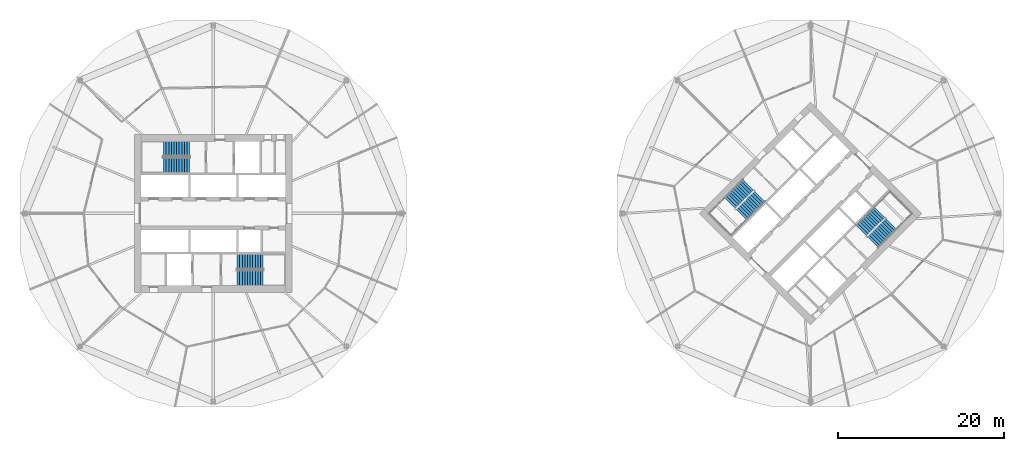
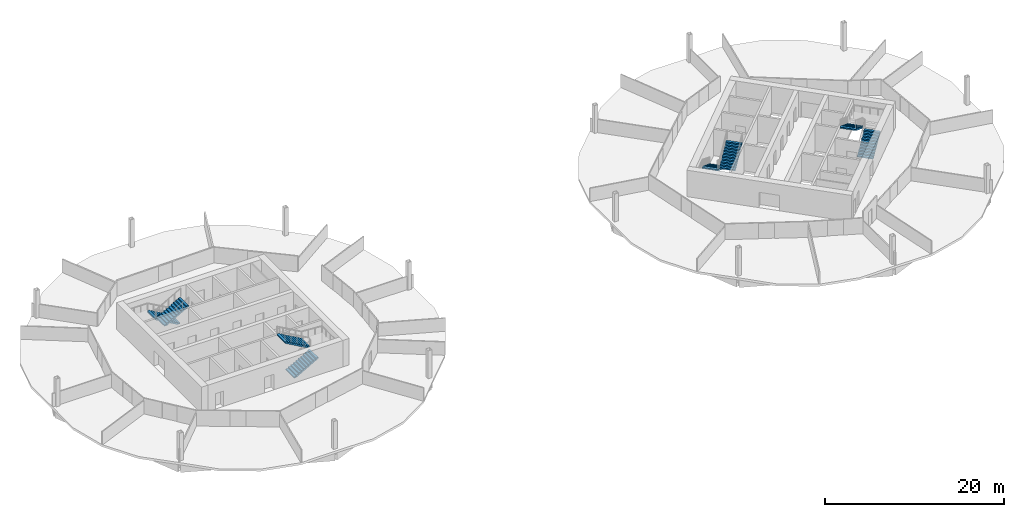
# One storey, part 8 of 9: 8 stair flights, 4 elements without a shape of their own.
"""IFC4 building model written with IfcOpenShell, lengths in metres."""

from ifc_helpers import new_model, si_unit, direction, frame, origin, place, context, subcontext, project, spatial, polyline, outline, extrude, material, type_object, element, aggregate, save


model = new_model("IFC4")

# Units and contexts
model_context = context("Model", 3, precision=1e-05, world=origin(), true_north=direction((0.0, 1.0)))
body_context = subcontext(model_context, "Body", "Model", "MODEL_VIEW")
ifc_project = project(units=[si_unit("LENGTHUNIT", "METRE"), si_unit("AREAUNIT", "SQUARE_METRE"), si_unit("VOLUMEUNIT", "CUBIC_METRE"), si_unit("PLANEANGLEUNIT", "RADIAN"), si_unit("MASSUNIT", "GRAM", prefix="KILO")], contexts=[model_context])

# Site, building, storey
site_placement = place(None, origin())
site = spatial("IfcSite", under=ifc_project, at=site_placement, CompositionType="ELEMENT")
building_placement = place(site_placement, origin())
building = spatial("IfcBuilding", under=site, at=building_placement, Name="Ogive Gate Towers", CompositionType="ELEMENT")
storey_placement = place(building_placement, frame((0.0, 0.0, 91.800048828125)))
storey = spatial("IfcBuildingStorey", under=building, at=storey_placement, Name="L21", CompositionType="ELEMENT", Elevation=91.800048828125)

# Stair, stair flights
ifc_material = material(Name="Concrete C40/50", Category="concrete")
stair_type = type_object("IfcStairType", Name="Escape stair 1840 wide", PredefinedType="HALF_TURN_STAIR", material=ifc_material)
stair_1_placement = place(storey_placement, origin())
stair_1 = element("IfcStair", 1, at=stair_1_placement, inside=storey, type_object=stair_type, Name="L21 Escape stair 1", PredefinedType="HALF_TURN_STAIR")
stair_flight_type = type_object("IfcStairFlightType", Name="Stair flight 1840 wide", PredefinedType="STRAIGHT", material=ifc_material)
stair_flight_1_placement = place(storey_placement, frame((-38.864990234375, 7.780029296875, 0.0), z_axis=(0.0, 0.0, 1.0), x_axis=(-1.0, 0.0, 0.0)))
stair_flight_1 = element("IfcStairFlight", 2, at=stair_flight_1_placement, type_object=stair_flight_type, Name="ST1 flight 1", NumberOfRisers=11, NumberOfTreads=10, PredefinedType="STRAIGHT", RiserHeight=0.177272727, TreadLength=0.313636364, context=body_context, shape_type="SweptSolid", body=[
    extrude(outline(polyline([(0.0, 0.0), (0.0, 0.17724609375), (0.313720703125, 0.17724609375), (0.313720703125, 0.3544921875), (0.627197265625, 0.3544921875), (0.627197265625, 0.53173828125), (0.94091796875, 0.53173828125), (0.94091796875, 0.708984375), (1.254638671875, 0.708984375), (1.254638671875, 0.886474609375), (1.568115234375, 0.886474609375), (1.568115234375, 1.063720703125), (1.8818359375, 1.063720703125), (1.8818359375, 1.240966796875), (2.195556640625, 1.240966796875), (2.195556640625, 1.418212890625), (2.509033203125, 1.418212890625), (2.509033203125, 1.595458984375), (2.82275390625, 1.595458984375), (2.82275390625, 1.772705078125), (3.136474609375, 1.772705078125), (3.136474609375, 1.949951171875), (3.136474609375, 1.6005859375), (0.3046875, 0.0), (0.0, 0.0)])), frame((0.0, 0.919921875, 0.0), z_axis=(0.0, -1.0, 0.0), x_axis=(1.0, 0.0, 0.0)), (0.0, 0.0, 1.0), 1.840087890625),
])
stair_flight_2_placement = place(storey_placement, frame((-42.00146484375, 5.794921875, 1.949951171875), z_axis=(0.0, 0.0, 1.0), x_axis=(1.0, 0.0, 0.0)))
stair_flight_2 = element("IfcStairFlight", 3, at=stair_flight_2_placement, type_object=stair_flight_type, Name="ST1 flight 2", NumberOfRisers=11, NumberOfTreads=10, PredefinedType="STRAIGHT", RiserHeight=0.177272727, TreadLength=0.313636364, context=body_context, shape_type="SweptSolid", body=[
    extrude(outline(polyline([(0.0, 0.0), (0.0, 0.17724609375), (0.313720703125, 0.17724609375), (0.313720703125, 0.3544921875), (0.627197265625, 0.3544921875), (0.627197265625, 0.53173828125), (0.94091796875, 0.53173828125), (0.94091796875, 0.708984375), (1.254638671875, 0.708984375), (1.254638671875, 0.886474609375), (1.568115234375, 0.886474609375), (1.568115234375, 1.063720703125), (1.8818359375, 1.063720703125), (1.8818359375, 1.240966796875), (2.195556640625, 1.240966796875), (2.195556640625, 1.418212890625), (2.509033203125, 1.418212890625), (2.509033203125, 1.595458984375), (2.82275390625, 1.595458984375), (2.82275390625, 1.772705078125), (3.136474609375, 1.772705078125), (3.136474609375, 1.949951171875), (3.136474609375, 1.6005859375), (0.3046875, 0.0), (0.0, 0.0)])), frame((0.0, 0.919921875, 0.0), z_axis=(0.0, -1.0, 0.0), x_axis=(1.0, 0.0, 0.0)), (0.0, 0.0, 1.0), 1.840087890625),
])
aggregate(stair_1, [stair_flight_1, stair_flight_2])

stair_2_placement = place(storey_placement, origin())
stair_2 = element("IfcStair", 4, at=stair_2_placement, inside=storey, type_object=stair_type, Name="L21 Escape stair 2", PredefinedType="HALF_TURN_STAIR")
stair_flight_3_placement = place(storey_placement, frame((-33.135009765625, -7.780029296875, 0.0), z_axis=(0.0, 0.0, 1.0), x_axis=(1.0, 0.0, 0.0)))
stair_flight_3 = element("IfcStairFlight", 5, at=stair_flight_3_placement, type_object=stair_flight_type, Name="ST2 flight 1", NumberOfRisers=11, NumberOfTreads=10, PredefinedType="STRAIGHT", RiserHeight=0.177272727, TreadLength=0.313636364, context=body_context, shape_type="SweptSolid", body=[
    extrude(outline(polyline([(0.0, 0.0), (0.0, 0.17724609375), (0.313720703125, 0.17724609375), (0.313720703125, 0.3544921875), (0.627197265625, 0.3544921875), (0.627197265625, 0.53173828125), (0.94091796875, 0.53173828125), (0.94091796875, 0.708984375), (1.254638671875, 0.708984375), (1.254638671875, 0.886474609375), (1.568115234375, 0.886474609375), (1.568115234375, 1.063720703125), (1.8818359375, 1.063720703125), (1.8818359375, 1.240966796875), (2.195556640625, 1.240966796875), (2.195556640625, 1.418212890625), (2.509033203125, 1.418212890625), (2.509033203125, 1.595458984375), (2.82275390625, 1.595458984375), (2.82275390625, 1.772705078125), (3.136474609375, 1.772705078125), (3.136474609375, 1.949951171875), (3.136474609375, 1.6005859375), (0.3046875, 0.0), (0.0, 0.0)])), frame((0.0, 0.919921875, 0.0), z_axis=(0.0, -1.0, 0.0), x_axis=(1.0, 0.0, 0.0)), (0.0, 0.0, 1.0), 1.840087890625),
])
stair_flight_4_placement = place(storey_placement, frame((-29.99853515625, -5.794921875, 1.949951171875), z_axis=(0.0, 0.0, 1.0), x_axis=(-1.0, 0.0, 0.0)))
stair_flight_4 = element("IfcStairFlight", 6, at=stair_flight_4_placement, type_object=stair_flight_type, Name="ST2 flight 2", NumberOfRisers=11, NumberOfTreads=10, PredefinedType="STRAIGHT", RiserHeight=0.177272727, TreadLength=0.313636364, context=body_context, shape_type="SweptSolid", body=[
    extrude(outline(polyline([(0.0, 0.0), (0.0, 0.17724609375), (0.313720703125, 0.17724609375), (0.313720703125, 0.3544921875), (0.627197265625, 0.3544921875), (0.627197265625, 0.53173828125), (0.94091796875, 0.53173828125), (0.94091796875, 0.708984375), (1.254638671875, 0.708984375), (1.254638671875, 0.886474609375), (1.568115234375, 0.886474609375), (1.568115234375, 1.063720703125), (1.8818359375, 1.063720703125), (1.8818359375, 1.240966796875), (2.195556640625, 1.240966796875), (2.195556640625, 1.418212890625), (2.509033203125, 1.418212890625), (2.509033203125, 1.595458984375), (2.82275390625, 1.595458984375), (2.82275390625, 1.772705078125), (3.136474609375, 1.772705078125), (3.136474609375, 1.949951171875), (3.136474609375, 1.6005859375), (0.3046875, 0.0), (0.0, 0.0)])), frame((0.0, 0.919921875, 0.0), z_axis=(0.0, -1.0, 0.0), x_axis=(1.0, 0.0, 0.0)), (0.0, 0.0, 1.0), 1.840087890625),
])
aggregate(stair_2, [stair_flight_3, stair_flight_4])

stair_3_placement = place(storey_placement, origin())
stair_3 = element("IfcStair", 7, at=stair_3_placement, inside=storey, type_object=stair_type, Name="L21 Escape stair 1", PredefinedType="HALF_TURN_STAIR")
stair_flight_5_placement = place(storey_placement, frame((28.472900390625, 3.475341796875, 0.0), z_axis=(0.0, 0.0, 1.0), x_axis=(-0.707106781187, -0.707106781187, 0.0)))
stair_flight_5 = element("IfcStairFlight", 8, at=stair_flight_5_placement, type_object=stair_flight_type, Name="ST1 flight 1", NumberOfRisers=11, NumberOfTreads=10, PredefinedType="STRAIGHT", RiserHeight=0.177272727, TreadLength=0.313636364, context=body_context, shape_type="SweptSolid", body=[
    extrude(outline(polyline([(0.0, 0.0), (0.0, 0.17724609375), (0.313720703125, 0.17724609375), (0.313720703125, 0.3544921875), (0.627197265625, 0.3544921875), (0.627197265625, 0.53173828125), (0.94091796875, 0.53173828125), (0.94091796875, 0.708984375), (1.254638671875, 0.708984375), (1.254638671875, 0.886474609375), (1.568115234375, 0.886474609375), (1.568115234375, 1.063720703125), (1.8818359375, 1.063720703125), (1.8818359375, 1.240966796875), (2.195556640625, 1.240966796875), (2.195556640625, 1.418212890625), (2.509033203125, 1.418212890625), (2.509033203125, 1.595458984375), (2.82275390625, 1.595458984375), (2.82275390625, 1.772705078125), (3.136474609375, 1.772705078125), (3.136474609375, 1.949951171875), (3.136474609375, 1.6005859375), (0.3046875, 0.0), (0.0, 0.0)])), frame((0.0, 0.919921875, 0.0), z_axis=(0.0, -1.0, 0.0), x_axis=(1.0, 0.0, 0.0)), (0.0, 0.0, 1.0), 1.840087890625),
])
stair_flight_6_placement = place(storey_placement, frame((27.65869140625, -0.14599609375, 1.949951171875), z_axis=(0.0, 0.0, 1.0), x_axis=(0.707106781187, 0.707106781187, 0.0)))
stair_flight_6 = element("IfcStairFlight", 9, at=stair_flight_6_placement, type_object=stair_flight_type, Name="ST1 flight 2", NumberOfRisers=11, NumberOfTreads=10, PredefinedType="STRAIGHT", RiserHeight=0.177272727, TreadLength=0.313636364, context=body_context, shape_type="SweptSolid", body=[
    extrude(outline(polyline([(0.0, 0.0), (0.0, 0.17724609375), (0.313720703125, 0.17724609375), (0.313720703125, 0.3544921875), (0.627197265625, 0.3544921875), (0.627197265625, 0.53173828125), (0.94091796875, 0.53173828125), (0.94091796875, 0.708984375), (1.254638671875, 0.708984375), (1.254638671875, 0.886474609375), (1.568115234375, 0.886474609375), (1.568115234375, 1.063720703125), (1.8818359375, 1.063720703125), (1.8818359375, 1.240966796875), (2.195556640625, 1.240966796875), (2.195556640625, 1.418212890625), (2.509033203125, 1.418212890625), (2.509033203125, 1.595458984375), (2.82275390625, 1.595458984375), (2.82275390625, 1.772705078125), (3.136474609375, 1.772705078125), (3.136474609375, 1.949951171875), (3.136474609375, 1.6005859375), (0.3046875, 0.0), (0.0, 0.0)])), frame((0.0, 0.919921875, 0.0), z_axis=(0.0, -1.0, 0.0), x_axis=(1.0, 0.0, 0.0)), (0.0, 0.0, 1.0), 1.840087890625),
])
aggregate(stair_3, [stair_flight_5, stair_flight_6])

stair_4_placement = place(storey_placement, origin())
stair_4 = element("IfcStair", 10, at=stair_4_placement, inside=storey, type_object=stair_type, Name="L21 Escape stair 2", PredefinedType="HALF_TURN_STAIR")
stair_flight_7_placement = place(storey_placement, frame((43.527099609375, -3.475341796875, 0.0), z_axis=(0.0, 0.0, 1.0), x_axis=(0.707106781187, 0.707106781187, 0.0)))
stair_flight_7 = element("IfcStairFlight", 11, at=stair_flight_7_placement, type_object=stair_flight_type, Name="ST2 flight 1", NumberOfRisers=11, NumberOfTreads=10, PredefinedType="STRAIGHT", RiserHeight=0.177272727, TreadLength=0.313636364, context=body_context, shape_type="SweptSolid", body=[
    extrude(outline(polyline([(0.0, 0.0), (0.0, 0.17724609375), (0.313720703125, 0.17724609375), (0.313720703125, 0.3544921875), (0.627197265625, 0.3544921875), (0.627197265625, 0.53173828125), (0.94091796875, 0.53173828125), (0.94091796875, 0.708984375), (1.254638671875, 0.708984375), (1.254638671875, 0.886474609375), (1.568115234375, 0.886474609375), (1.568115234375, 1.063720703125), (1.8818359375, 1.063720703125), (1.8818359375, 1.240966796875), (2.195556640625, 1.240966796875), (2.195556640625, 1.418212890625), (2.509033203125, 1.418212890625), (2.509033203125, 1.595458984375), (2.82275390625, 1.595458984375), (2.82275390625, 1.772705078125), (3.136474609375, 1.772705078125), (3.136474609375, 1.949951171875), (3.136474609375, 1.6005859375), (0.3046875, 0.0), (0.0, 0.0)])), frame((0.0, 0.919921875, 0.0), z_axis=(0.0, -1.0, 0.0), x_axis=(1.0, 0.0, 0.0)), (0.0, 0.0, 1.0), 1.840087890625),
])
stair_flight_8_placement = place(storey_placement, frame((44.34130859375, 0.14599609375, 1.949951171875), z_axis=(0.0, 0.0, 1.0), x_axis=(-0.707106781187, -0.707106781187, 0.0)))
stair_flight_8 = element("IfcStairFlight", 12, at=stair_flight_8_placement, type_object=stair_flight_type, Name="ST2 flight 2", NumberOfRisers=11, NumberOfTreads=10, PredefinedType="STRAIGHT", RiserHeight=0.177272727, TreadLength=0.313636364, context=body_context, shape_type="SweptSolid", body=[
    extrude(outline(polyline([(0.0, 0.0), (0.0, 0.17724609375), (0.313720703125, 0.17724609375), (0.313720703125, 0.3544921875), (0.627197265625, 0.3544921875), (0.627197265625, 0.53173828125), (0.94091796875, 0.53173828125), (0.94091796875, 0.708984375), (1.254638671875, 0.708984375), (1.254638671875, 0.886474609375), (1.568115234375, 0.886474609375), (1.568115234375, 1.063720703125), (1.8818359375, 1.063720703125), (1.8818359375, 1.240966796875), (2.195556640625, 1.240966796875), (2.195556640625, 1.418212890625), (2.509033203125, 1.418212890625), (2.509033203125, 1.595458984375), (2.82275390625, 1.595458984375), (2.82275390625, 1.772705078125), (3.136474609375, 1.772705078125), (3.136474609375, 1.949951171875), (3.136474609375, 1.6005859375), (0.3046875, 0.0), (0.0, 0.0)])), frame((0.0, 0.919921875, 0.0), z_axis=(0.0, -1.0, 0.0), x_axis=(1.0, 0.0, 0.0)), (0.0, 0.0, 1.0), 1.840087890625),
])
aggregate(stair_4, [stair_flight_7, stair_flight_8])

save(model, "model.ifc")
